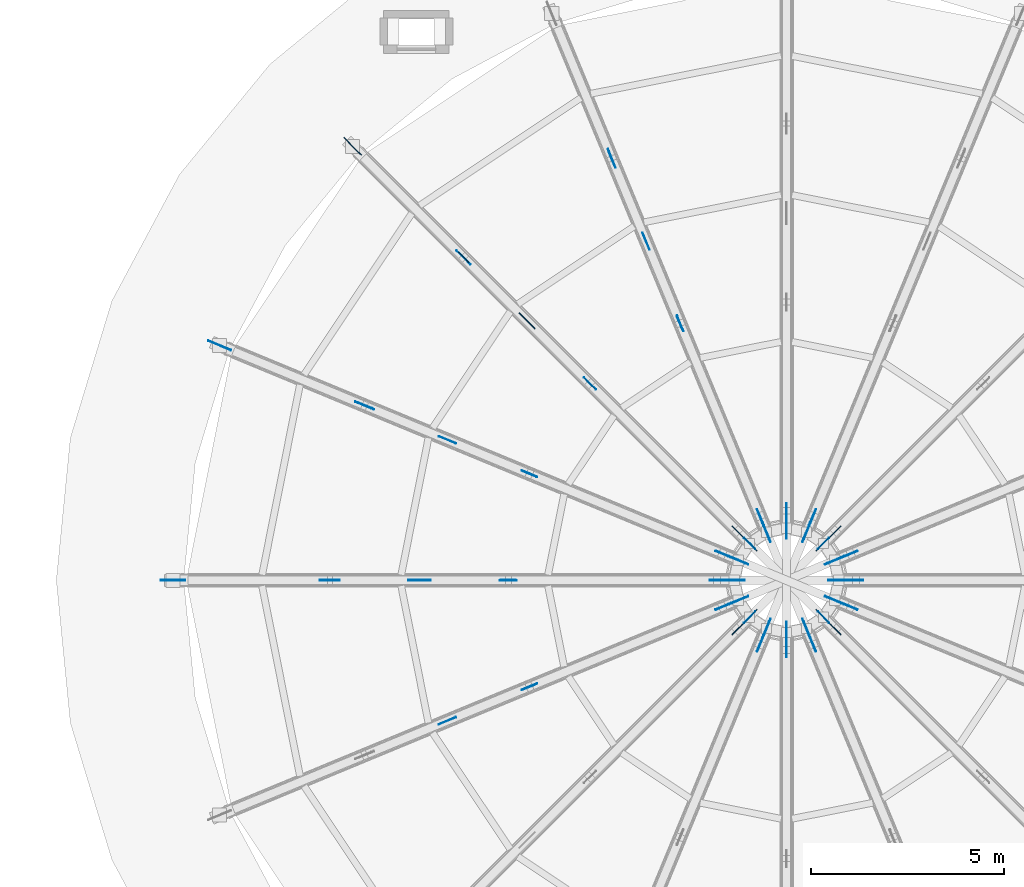
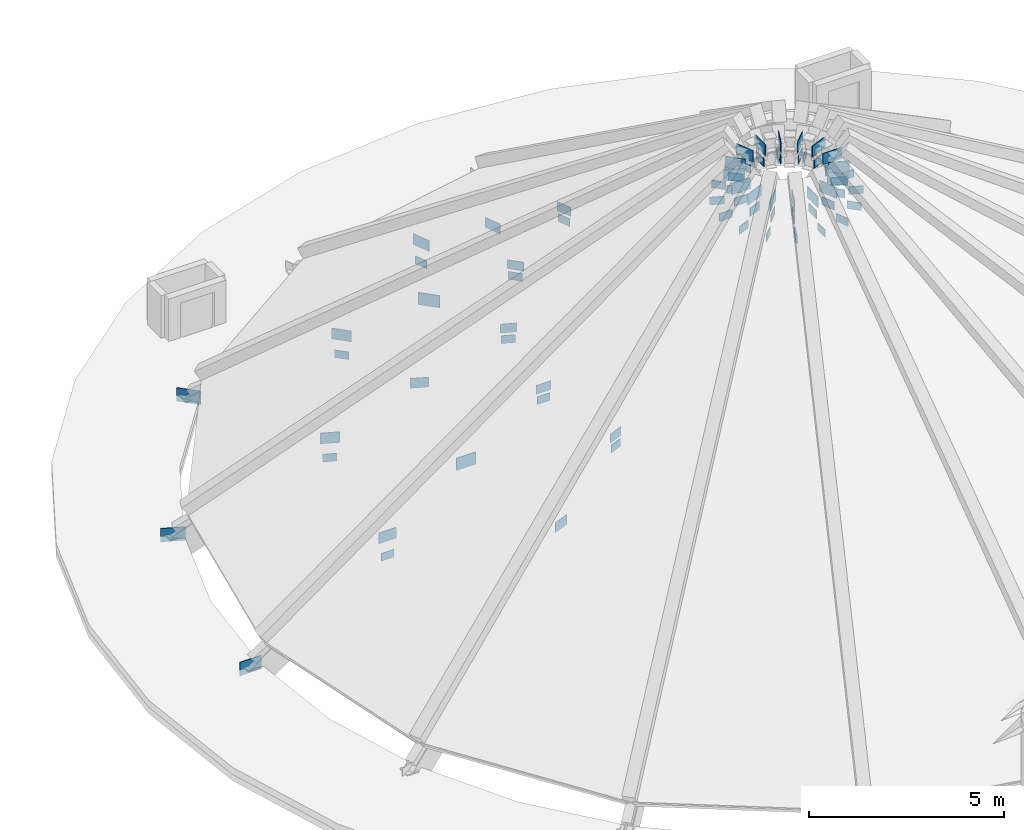
# One storey, part 28 of 58: 90 plates.
"""IFC4 building model written with IfcOpenShell, lengths in metres."""

from ifc_helpers import new_model, si_unit, direction, frame, origin, origin_2d, place, context, subcontext, project, spatial, rectangle, extrude, material, layer, layer_set, type_object, element, save


model = new_model("IFC4")

# Units and contexts
model_context = context("Model", 3, precision=1e-05, world=origin(), true_north=direction((0.0, 1.0)))
body_context = subcontext(model_context, "Body", "Model", "MODEL_VIEW")
ifc_project = project(units=[si_unit("LENGTHUNIT", "METRE"), si_unit("AREAUNIT", "SQUARE_METRE"), si_unit("VOLUMEUNIT", "CUBIC_METRE"), si_unit("PLANEANGLEUNIT", "RADIAN"), si_unit("MASSUNIT", "GRAM", prefix="KILO")], contexts=[model_context])

# Site, building, storey
site_placement = place(None, origin())
site = spatial("IfcSite", under=ifc_project, at=site_placement, CompositionType="ELEMENT")
building_placement = place(site_placement, origin())
building = spatial("IfcBuilding", under=site, at=building_placement, Name="Aldenvaro Health Centre", CompositionType="ELEMENT")
storey_placement = place(building_placement, frame((0.0, 0.0, 8.75)))
storey = spatial("IfcBuildingStorey", under=building, at=storey_placement, Name="L02", CompositionType="ELEMENT", Elevation=8.75)

# Plates
ifc_material = material(Name="Steel ASTM A572 Grade 50", Category="steel")
ifc_layer_1 = layer(ifc_material, 0.02001953125, Name="Steel ASTM A572 Grade 50", Category="steel")
ifc_layer_set_1 = layer_set([ifc_layer_1], Name="Steel ASTM A572 Grade 50")
plate_type_1 = type_object("IfcPlateType", Name="PLT-GUS-01", PredefinedType="SHEET", material=ifc_layer_set_1)
for number, where, z_axis, x_axis, name in (
    (1, (75.77099609375, 31.22900390625, 0.239990234375), (0.0, 0.0, 1.0), (-0.707106781187, 0.707106781187, 0.0), "Truss Gusset Plate 07.1"),
    (2, (72.3291015625, 26.076904296875, 0.239990234375), (0.0, 0.0, 1.0), (-0.923879532511, 0.382683432365, 0.0), "Truss Gusset Plate 08.1"),
    (3, (71.1201171875, 20.0, 0.239990234375), (0.0, 0.0, 1.0), (-1.0, 0.0, 0.0), "Truss Gusset Plate 09.1"),
):
    element("IfcPlate", number, at=place(storey_placement, frame(where, z_axis=z_axis, x_axis=x_axis)), inside=storey, type_object=plate_type_1, Name=name, PredefinedType="SHEET", context=body_context, shape_type="SweptSolid", body=[
        extrude(rectangle(XDim=0.639892578125, YDim=0.02001953125, at=origin_2d()), origin(), (0.0, 0.0, 1.0), 0.419921875),
    ])
ifc_layer_2 = layer(ifc_material, 0.01806640625, Name="Steel ASTM A572 Grade 50", Category="steel")
ifc_layer_set_2 = layer_set([ifc_layer_2], Name="Steel ASTM A572 Grade 50")
plate_type_2 = type_object("IfcPlateType", Name="PLT-GUS-02", PredefinedType="SHEET", material=ifc_layer_set_2)
for number, where, z_axis, x_axis, name in (
    (4, (82.47705078125, 30.919921875, 2.93212890625), (0.0, 0.0, 1.0), (-0.382683432365, 0.923879532511, 0.0), "Truss Gusset Plate 06.2"),
    (5, (78.64208984375, 28.35791015625, 2.93212890625), (0.0, 0.0, 1.0), (-0.707106781187, 0.707106781187, 0.0), "Truss Gusset Plate 07.2"),
    (6, (76.080078125, 24.52294921875, 2.93212890625), (0.0, 0.0, 1.0), (-0.923879532511, 0.382683432365, 0.0), "Truss Gusset Plate 08.2"),
    (7, (75.179931640625, 20.0, 2.93212890625), (0.0, 0.0, 1.0), (-1.0, 0.0, 0.0), "Truss Gusset Plate 09.2"),
):
    element("IfcPlate", number, at=place(storey_placement, frame(where, z_axis=z_axis, x_axis=x_axis)), inside=storey, type_object=plate_type_2, Name=name, PredefinedType="SHEET", context=body_context, shape_type="SweptSolid", body=[
        extrude(rectangle(XDim=0.52001953125, YDim=0.01806640625, at=origin_2d()), origin(), (0.0, 0.0, 1.0), 0.340087890625),
    ])
ifc_layer_3 = layer(ifc_material, 0.01611328125, Name="Steel ASTM A572 Grade 50", Category="steel")
ifc_layer_set_3 = layer_set([ifc_layer_3], Name="Steel ASTM A572 Grade 50")
plate_type_3 = type_object("IfcPlateType", Name="PLT-GUS-03", PredefinedType="SHEET", material=ifc_layer_set_3)
for number, where, z_axis, x_axis, name in (
    (8, (84.2451171875, 26.652099609375, 5.97900390625), (0.0, 0.0, 1.0), (-0.382683432365, 0.923879532511, 0.0), "Truss Gusset Plate 06.3"),
    (9, (81.908935546875, 25.091064453125, 5.97900390625), (0.0, 0.0, 1.0), (-0.707106781187, 0.707106781187, 0.0), "Truss Gusset Plate 07.3"),
    (10, (80.347900390625, 22.7548828125, 5.97900390625), (0.0, 0.0, 1.0), (-0.923879532511, 0.382683432365, 0.0), "Truss Gusset Plate 08.3"),
    (11, (79.800048828125, 20.0, 5.97900390625), (0.0, 0.0, 1.0), (-1.0, 0.0, 0.0), "Truss Gusset Plate 09.3"),
    (12, (80.347900390625, 17.2451171875, 5.97900390625), (0.0, 0.0, 1.0), (-0.923879532511, -0.382683432365, 0.0), "Truss Gusset Plate 10.3"),
):
    element("IfcPlate", number, at=place(storey_placement, frame(where, z_axis=z_axis, x_axis=x_axis)), inside=storey, type_object=plate_type_3, Name=name, PredefinedType="SHEET", context=body_context, shape_type="SweptSolid", body=[
        extrude(rectangle(XDim=0.43994140625, YDim=0.01611328125, at=origin_2d()), origin(), (0.0, 0.0, 1.0), 0.280029296875),
    ])
ifc_layer_4 = layer(ifc_material, 0.02197265625, Name="Steel ASTM A572 Grade 50", Category="steel")
ifc_layer_set_4 = layer_set([ifc_layer_4], Name="Steel ASTM A572 Grade 50")
plate_type_4 = type_object("IfcPlateType", Name="PLT-GUS-04", PredefinedType="SHEET", material=ifc_layer_set_4)
for number, where, z_axis, x_axis, name in (
    (13, (88.800048828125, 20.0, 9.4990234375), (0.0, 0.0, 1.0), (1.0, 0.0, 0.0), "Truss Web Top Gusset 01.3"),
    (14, (88.35009765625, 20.0, 9.81982421875), (0.0, 0.0, 1.0), (1.0, 0.0, 0.0), "Truss Gusset Plate 01.4"),
    (15, (88.6630859375, 20.68896484375, 9.4990234375), (0.0, 0.0, 1.0), (0.923879532511, 0.382683432365, 0.0), "Truss Web Top Gusset 02.3"),
    (16, (88.2470703125, 20.51708984375, 9.81982421875), (0.0, 0.0, 1.0), (0.923879532511, 0.382683432365, 0.0), "Truss Gusset Plate 02.4"),
    (17, (88.27294921875, 21.27294921875, 9.4990234375), (0.0, 0.0, 1.0), (0.707106781187, 0.707106781187, 0.0), "Truss Web Top Gusset 03.3"),
    (18, (87.955078125, 20.955078125, 9.81982421875), (0.0, 0.0, 1.0), (0.707106781187, 0.707106781187, 0.0), "Truss Gusset Plate 03.4"),
    (19, (87.68896484375, 21.6630859375, 9.4990234375), (0.0, 0.0, 1.0), (0.382683432365, 0.923879532511, 0.0), "Truss Web Top Gusset 04.3"),
    (20, (87.51708984375, 21.2470703125, 9.81982421875), (0.0, 0.0, 1.0), (0.382683432365, 0.923879532511, 0.0), "Truss Gusset Plate 04.4"),
    (21, (87.0, 21.800048828125, 9.4990234375), (0.0, 0.0, 1.0), (0.0, 1.0, 0.0), "Truss Web Top Gusset 05.3"),
    (22, (87.0, 21.35009765625, 9.81982421875), (0.0, 0.0, 1.0), (0.0, 1.0, 0.0), "Truss Gusset Plate 05.4"),
    (23, (82.47705078125, 30.919921875, 2.36181640625), (0.0, 0.0, 1.0), (-0.382683432365, 0.923879532511, 0.0), "Truss Web Top Gusset 06.1"),
    (24, (84.2451171875, 26.652099609375, 5.65283203125), (0.0, 0.0, 1.0), (-0.382683432365, 0.923879532511, 0.0), "Truss Web Top Gusset 06.2"),
    (25, (86.31103515625, 21.6630859375, 9.4990234375), (0.0, 0.0, 1.0), (-0.382683432365, 0.923879532511, 0.0), "Truss Web Top Gusset 06.3"),
    (26, (86.48291015625, 21.2470703125, 9.81982421875), (0.0, 0.0, 1.0), (-0.382683432365, 0.923879532511, 0.0), "Truss Gusset Plate 06.4"),
    (27, (78.64208984375, 28.35791015625, 2.36181640625), (0.0, 0.0, 1.0), (-0.707106781187, 0.707106781187, 0.0), "Truss Web Top Gusset 07.1"),
    (28, (81.908935546875, 25.091064453125, 5.65283203125), (0.0, 0.0, 1.0), (-0.707106781187, 0.707106781187, 0.0), "Truss Web Top Gusset 07.2"),
    (29, (85.72705078125, 21.27294921875, 9.4990234375), (0.0, 0.0, 1.0), (-0.707106781187, 0.707106781187, 0.0), "Truss Web Top Gusset 07.3"),
    (30, (86.044921875, 20.955078125, 9.81982421875), (0.0, 0.0, 1.0), (-0.707106781187, 0.707106781187, 0.0), "Truss Gusset Plate 07.4"),
    (31, (76.080078125, 24.52294921875, 2.36181640625), (0.0, 0.0, 1.0), (-0.923879532511, 0.382683432365, 0.0), "Truss Web Top Gusset 08.1"),
    (32, (80.347900390625, 22.7548828125, 5.65283203125), (0.0, 0.0, 1.0), (-0.923879532511, 0.382683432365, 0.0), "Truss Web Top Gusset 08.2"),
    (33, (85.3369140625, 20.68896484375, 9.4990234375), (0.0, 0.0, 1.0), (-0.923879532511, 0.382683432365, 0.0), "Truss Web Top Gusset 08.3"),
    (34, (85.7529296875, 20.51708984375, 9.81982421875), (0.0, 0.0, 1.0), (-0.923879532511, 0.382683432365, 0.0), "Truss Gusset Plate 08.4"),
    (35, (75.179931640625, 20.0, 2.36181640625), (0.0, 0.0, 1.0), (-1.0, 0.0, 0.0), "Truss Web Top Gusset 09.1"),
    (36, (79.800048828125, 20.0, 5.65283203125), (0.0, 0.0, 1.0), (-1.0, 0.0, 0.0), "Truss Web Top Gusset 09.2"),
    (37, (85.199951171875, 20.0, 9.4990234375), (0.0, 0.0, 1.0), (-1.0, 0.0, 0.0), "Truss Web Top Gusset 09.3"),
    (38, (85.64990234375, 20.0, 9.81982421875), (0.0, 0.0, 1.0), (-1.0, 0.0, 0.0), "Truss Gusset Plate 09.4"),
    (39, (80.347900390625, 17.2451171875, 5.65283203125), (0.0, 0.0, 1.0), (-0.923879532511, -0.382683432365, 0.0), "Truss Web Top Gusset 10.2"),
    (40, (85.3369140625, 19.31103515625, 9.4990234375), (0.0, 0.0, 1.0), (-0.923879532511, -0.382683432365, 0.0), "Truss Web Top Gusset 10.3"),
    (41, (85.7529296875, 19.48291015625, 9.81982421875), (0.0, 0.0, 1.0), (-0.923879532511, -0.382683432365, 0.0), "Truss Gusset Plate 10.4"),
    (42, (85.72705078125, 18.72705078125, 9.4990234375), (0.0, 0.0, 1.0), (-0.707106781187, -0.707106781187, 0.0), "Truss Web Top Gusset 11.3"),
    (43, (86.044921875, 19.044921875, 9.81982421875), (0.0, 0.0, 1.0), (-0.707106781187, -0.707106781187, 0.0), "Truss Gusset Plate 11.4"),
    (44, (86.31103515625, 18.3369140625, 9.4990234375), (0.0, 0.0, 1.0), (-0.382683432365, -0.923879532511, 0.0), "Truss Web Top Gusset 12.3"),
    (45, (86.48291015625, 18.7529296875, 9.81982421875), (0.0, 0.0, 1.0), (-0.382683432365, -0.923879532511, 0.0), "Truss Gusset Plate 12.4"),
    (46, (87.0, 18.199951171875, 9.4990234375), (0.0, 0.0, 1.0), (0.0, -1.0, 0.0), "Truss Web Top Gusset 13.3"),
    (47, (87.0, 18.64990234375, 9.81982421875), (0.0, 0.0, 1.0), (0.0, -1.0, 0.0), "Truss Gusset Plate 13.4"),
    (48, (87.68896484375, 18.3369140625, 9.4990234375), (0.0, 0.0, 1.0), (0.382683432365, -0.923879532511, 0.0), "Truss Web Top Gusset 14.3"),
    (49, (87.51708984375, 18.7529296875, 9.81982421875), (0.0, 0.0, 1.0), (0.382683432365, -0.923879532511, 0.0), "Truss Gusset Plate 14.4"),
    (50, (88.27294921875, 18.72705078125, 9.4990234375), (0.0, 0.0, 1.0), (0.707106781187, -0.707106781187, 0.0), "Truss Web Top Gusset 15.3"),
    (51, (87.955078125, 19.044921875, 9.81982421875), (0.0, 0.0, 1.0), (0.707106781187, -0.707106781187, 0.0), "Truss Gusset Plate 15.4"),
    (52, (88.6630859375, 19.31103515625, 9.4990234375), (0.0, 0.0, 1.0), (0.923879532511, -0.382683432365, 0.0), "Truss Web Top Gusset 16.3"),
    (53, (88.2470703125, 19.48291015625, 9.81982421875), (0.0, 0.0, 1.0), (0.923879532511, -0.382683432365, 0.0), "Truss Gusset Plate 16.4"),
):
    element("IfcPlate", number, at=place(storey_placement, frame(where, z_axis=z_axis, x_axis=x_axis)), inside=storey, type_object=plate_type_4, Name=name, PredefinedType="SHEET", context=body_context, shape_type="SweptSolid", body=[
        extrude(rectangle(XDim=0.3798828125, YDim=0.02197265625, at=origin_2d()), origin(), (0.0, 0.0, 1.0), 0.239990234375),
    ])
ifc_layer_5 = layer(ifc_material, 0.02392578125, Name="Steel ASTM A572 Grade 50", Category="steel")
ifc_layer_set_5 = layer_set([ifc_layer_5], Name="Steel ASTM A572 Grade 50")
plate_type_5 = type_object("IfcPlateType", Name="PLT-GUS-05", PredefinedType="SHEET", material=ifc_layer_set_5)
for number, where, z_axis, x_axis, name in (
    (54, (80.281982421875, 26.718017578125, 4.427001953125), (0.0, 0.0, 1.0), (-0.707106781187, 0.707106781187, 0.0), "Truss Gusset Plate 07.5"),
    (55, (77.5, 20.0, 4.427001953125), (0.0, 0.0, 1.0), (-1.0, 0.0, 0.0), "Truss Gusset Plate 09.5"),
):
    element("IfcPlate", number, at=place(storey_placement, frame(where, z_axis=z_axis, x_axis=x_axis)), inside=storey, type_object=plate_type_5, Name=name, PredefinedType="SHEET", context=body_context, shape_type="SweptSolid", body=[
        extrude(rectangle(XDim=0.580078125, YDim=0.02392578125, at=origin_2d()), origin(), (0.0, 0.0, 1.0), 0.3798828125),
    ])
ifc_layer_6 = layer(ifc_material, 0.014892578125, Name="Steel ASTM A572 Grade 50", Category="steel")
ifc_layer_set_6 = layer_set([ifc_layer_6], Name="Steel ASTM A572 Grade 50")
plate_type_6 = type_object("IfcPlateType", Name="PLT-GUS-06", PredefinedType="SHEET", material=ifc_layer_set_6)
for number, where, z_axis, x_axis, name in (
    (56, (83.364990234375, 28.777099609375, 4.4619140625), (0.0, 0.0, 1.0), (-0.382683432365, 0.923879532511, 0.0), "Truss Gusset Plate 06.5"),
    (57, (78.222900390625, 23.635009765625, 4.4619140625), (0.0, 0.0, 1.0), (-0.923879532511, 0.382683432365, 0.0), "Truss Gusset Plate 08.5"),
    (58, (78.222900390625, 16.364990234375, 4.4619140625), (0.0, 0.0, 1.0), (-0.923879532511, -0.382683432365, 0.0), "Truss Gusset Plate 10.5"),
):
    element("IfcPlate", number, at=place(storey_placement, frame(where, z_axis=z_axis, x_axis=x_axis)), inside=storey, type_object=plate_type_6, Name=name, PredefinedType="SHEET", context=body_context, shape_type="SweptSolid", body=[
        extrude(rectangle(XDim=0.47998046875, YDim=0.014892578125, at=origin_2d()), origin(), (0.0, 0.0, 1.0), 0.31005859375),
    ])
ifc_layer_7 = layer(ifc_material, 0.013916015625, Name="Steel ASTM A572 Grade 50", Category="steel")
ifc_layer_set_7 = layer_set([ifc_layer_7], Name="Steel ASTM A572 Grade 50")
plate_type_7 = type_object("IfcPlateType", Name="PLT-GUS-07", PredefinedType="SHEET", material=ifc_layer_set_7)
for number, where, z_axis, x_axis, name in (
    (59, (88.35009765625, 20.0, 9.81005859375), (0.0, 0.0, 1.0), (1.0, 0.0, 0.0), "Lantern Strut End Plate 01.B"),
    (60, (88.2470703125, 20.51708984375, 9.81005859375), (0.0, 0.0, 1.0), (0.923879532511, 0.382683432365, 0.0), "Lantern Strut End Plate 02.B"),
    (61, (87.955078125, 20.955078125, 9.81005859375), (0.0, 0.0, 1.0), (0.707106781187, 0.707106781187, 0.0), "Lantern Strut End Plate 03.B"),
    (62, (87.51708984375, 21.2470703125, 9.81005859375), (0.0, 0.0, 1.0), (0.382683432365, 0.923879532511, 0.0), "Lantern Strut End Plate 04.B"),
    (63, (87.0, 21.35009765625, 9.81005859375), (0.0, 0.0, 1.0), (0.0, 1.0, 0.0), "Lantern Strut End Plate 05.B"),
    (64, (86.48291015625, 21.2470703125, 9.81005859375), (0.0, 0.0, 1.0), (-0.382683432365, 0.923879532511, 0.0), "Lantern Strut End Plate 06.B"),
    (65, (86.044921875, 20.955078125, 9.81005859375), (0.0, 0.0, 1.0), (-0.707106781187, 0.707106781187, 0.0), "Lantern Strut End Plate 07.B"),
    (66, (85.7529296875, 20.51708984375, 9.81005859375), (0.0, 0.0, 1.0), (-0.923879532511, 0.382683432365, 0.0), "Lantern Strut End Plate 08.B"),
    (67, (85.64990234375, 20.0, 9.81005859375), (0.0, 0.0, 1.0), (-1.0, 0.0, 0.0), "Lantern Strut End Plate 09.B"),
    (68, (85.7529296875, 19.48291015625, 9.81005859375), (0.0, 0.0, 1.0), (-0.923879532511, -0.382683432365, 0.0), "Lantern Strut End Plate 10.B"),
    (69, (86.044921875, 19.044921875, 9.81005859375), (0.0, 0.0, 1.0), (-0.707106781187, -0.707106781187, 0.0), "Lantern Strut End Plate 11.B"),
    (70, (86.48291015625, 18.7529296875, 9.81005859375), (0.0, 0.0, 1.0), (-0.382683432365, -0.923879532511, 0.0), "Lantern Strut End Plate 12.B"),
    (71, (87.0, 18.64990234375, 9.81005859375), (0.0, 0.0, 1.0), (0.0, -1.0, 0.0), "Lantern Strut End Plate 13.B"),
    (72, (87.51708984375, 18.7529296875, 9.81005859375), (0.0, 0.0, 1.0), (0.382683432365, -0.923879532511, 0.0), "Lantern Strut End Plate 14.B"),
    (73, (87.955078125, 19.044921875, 9.81005859375), (0.0, 0.0, 1.0), (0.707106781187, -0.707106781187, 0.0), "Lantern Strut End Plate 15.B"),
    (74, (88.2470703125, 19.48291015625, 9.81005859375), (0.0, 0.0, 1.0), (0.923879532511, -0.382683432365, 0.0), "Lantern Strut End Plate 16.B"),
):
    element("IfcPlate", number, at=place(storey_placement, frame(where, z_axis=z_axis, x_axis=x_axis)), inside=storey, type_object=plate_type_7, Name=name, PredefinedType="SHEET", context=body_context, shape_type="SweptSolid", body=[
        extrude(rectangle(XDim=0.409912109375, YDim=0.013916015625, at=origin_2d()), origin(), (0.0, 0.0, 1.0), 0.260009765625),
    ])
ifc_layer_8 = layer(ifc_material, 0.01904296875, Name="Steel ASTM A572 Grade 50", Category="steel")
ifc_layer_set_8 = layer_set([ifc_layer_8], Name="Steel ASTM A572 Grade 50")
plate_type_8 = type_object("IfcPlateType", Name="PLT-GUS-08", PredefinedType="SHEET", material=ifc_layer_set_8)
for number, where, z_axis, x_axis, name in (
    (75, (88.35009765625, 20.0, 10.204833984375), (0.0, 0.0, 1.0), (1.0, 0.0, 0.0), "Lantern Strut End Plate 01.T"),
    (76, (88.2470703125, 20.51708984375, 10.204833984375), (0.0, 0.0, 1.0), (0.923879532511, 0.382683432365, 0.0), "Lantern Strut End Plate 02.T"),
    (77, (87.955078125, 20.955078125, 10.204833984375), (0.0, 0.0, 1.0), (0.707106781187, 0.707106781187, 0.0), "Lantern Strut End Plate 03.T"),
    (78, (87.51708984375, 21.2470703125, 10.204833984375), (0.0, 0.0, 1.0), (0.382683432365, 0.923879532511, 0.0), "Lantern Strut End Plate 04.T"),
    (79, (87.0, 21.35009765625, 10.204833984375), (0.0, 0.0, 1.0), (0.0, 1.0, 0.0), "Lantern Strut End Plate 05.T"),
    (80, (86.48291015625, 21.2470703125, 10.204833984375), (0.0, 0.0, 1.0), (-0.382683432365, 0.923879532511, 0.0), "Lantern Strut End Plate 06.T"),
    (81, (86.044921875, 20.955078125, 10.204833984375), (0.0, 0.0, 1.0), (-0.707106781187, 0.707106781187, 0.0), "Lantern Strut End Plate 07.T"),
    (82, (85.7529296875, 20.51708984375, 10.204833984375), (0.0, 0.0, 1.0), (-0.923879532511, 0.382683432365, 0.0), "Lantern Strut End Plate 08.T"),
    (83, (85.64990234375, 20.0, 10.204833984375), (0.0, 0.0, 1.0), (-1.0, 0.0, 0.0), "Lantern Strut End Plate 09.T"),
    (84, (85.7529296875, 19.48291015625, 10.204833984375), (0.0, 0.0, 1.0), (-0.923879532511, -0.382683432365, 0.0), "Lantern Strut End Plate 10.T"),
    (85, (86.044921875, 19.044921875, 10.204833984375), (0.0, 0.0, 1.0), (-0.707106781187, -0.707106781187, 0.0), "Lantern Strut End Plate 11.T"),
    (86, (86.48291015625, 18.7529296875, 10.204833984375), (0.0, 0.0, 1.0), (-0.382683432365, -0.923879532511, 0.0), "Lantern Strut End Plate 12.T"),
    (87, (87.0, 18.64990234375, 10.204833984375), (0.0, 0.0, 1.0), (0.0, -1.0, 0.0), "Lantern Strut End Plate 13.T"),
    (88, (87.51708984375, 18.7529296875, 10.204833984375), (0.0, 0.0, 1.0), (0.382683432365, -0.923879532511, 0.0), "Lantern Strut End Plate 14.T"),
    (89, (87.955078125, 19.044921875, 10.204833984375), (0.0, 0.0, 1.0), (0.707106781187, -0.707106781187, 0.0), "Lantern Strut End Plate 15.T"),
    (90, (88.2470703125, 19.48291015625, 10.204833984375), (0.0, 0.0, 1.0), (0.923879532511, -0.382683432365, 0.0), "Lantern Strut End Plate 16.T"),
):
    element("IfcPlate", number, at=place(storey_placement, frame(where, z_axis=z_axis, x_axis=x_axis)), inside=storey, type_object=plate_type_8, Name=name, PredefinedType="SHEET", context=body_context, shape_type="SweptSolid", body=[
        extrude(rectangle(XDim=0.550048828125, YDim=0.01904296875, at=origin_2d()), origin(), (0.0, 0.0, 1.0), 0.35009765625),
    ])

save(model, "model.ifc")
